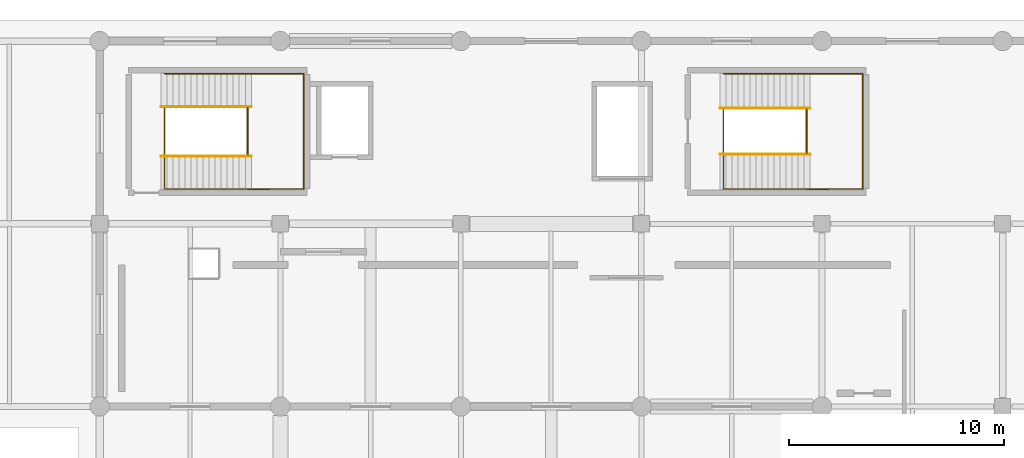
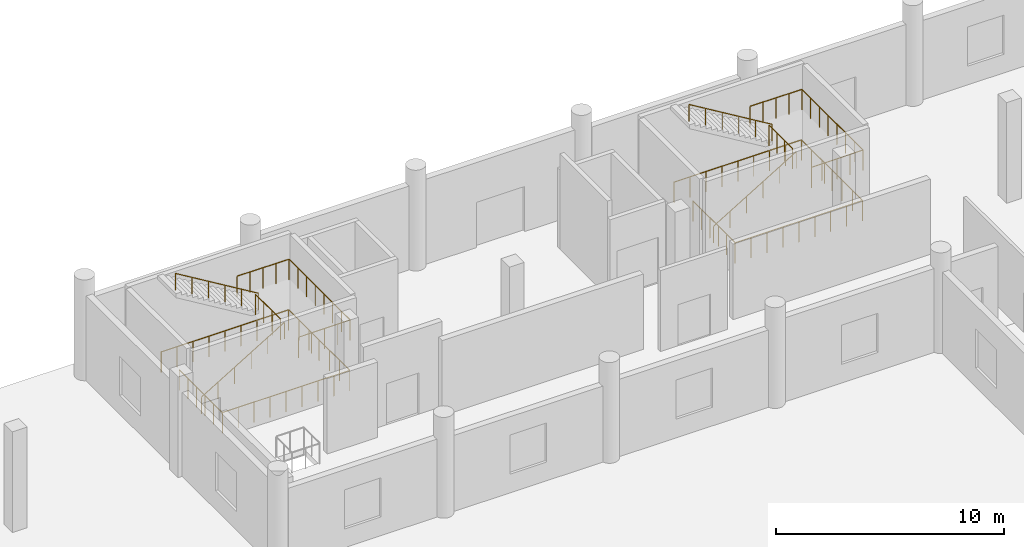
# One storey, part 106 of 107: 10 railings.
"""IFC4 building model written with IfcOpenShell, lengths in metres."""

import ifcopenshell
import ifcopenshell.guid

model = None  # the IFC model being written
_history = None  # IfcOwnerHistory: only IFC2X3 demands one
_inside = {}  # id of a spatial element -> (the spatial element, [elements in it])
_under = {}  # id of a project, library or spatial element -> (it, [spatial elements below it])
_declared = {}  # id of a project -> (the project, [libraries it declares])
_typed = {}  # id of a type object -> (the type object, [elements of that type])
_made_of = {}  # id of a material, layer set ... -> (it, [elements and type objects made of it])


def new_model(schema):
    """Start an empty IFC model of exactly this schema.

    Asked for "IFC4X3", IfcOpenShell would pick the latest addendum, in which some entities
    have other attributes; the version numbers below select the first issue.
    IFC2X3 requires an IfcOwnerHistory on every rooted entity: one is made here for all.
    """
    global model, _history
    if schema == "IFC4X3":
        model = ifcopenshell.file(schema_version=(4, 3, 0, 0))
    else:
        model = ifcopenshell.file(schema=schema)
    _inside.clear()
    _under.clear()
    _declared.clear()
    _typed.clear()
    _made_of.clear()
    _history = None
    if model.schema == "IFC2X3":
        org = make("IfcOrganization", Name="unknown")
        user = make(
            "IfcPersonAndOrganization",
            ThePerson=make("IfcPerson", FamilyName="unknown"),
            TheOrganization=org,
        )
        app = make(
            "IfcApplication",
            ApplicationDeveloper=org,
            Version="unknown",
            ApplicationFullName="unknown",
            ApplicationIdentifier="unknown",
        )
        _history = make(
            "IfcOwnerHistory",
            OwningUser=user,
            OwningApplication=app,
            ChangeAction="ADDED",
            CreationDate=0,
        )
    return model


def make(cls, **values):
    """One entity of the class cls with the attributes given. An attribute that is None is left unset."""
    return model.create_entity(
        cls, **{name: value for name, value in values.items() if value is not None}
    )


def rooted(cls, **values):
    """An entity with a GlobalId (a new one), such as an element, a storey or a relation."""
    return make(cls, GlobalId=ifcopenshell.guid.new(), OwnerHistory=_history, **values)


def si_unit(unit_type, name, prefix=None):
    """IfcSIUnit, for example si_unit("LENGTHUNIT", "METRE", prefix="MILLI")."""
    return make("IfcSIUnit", UnitType=unit_type, Prefix=prefix, Name=name)


def assignment(units):
    """IfcUnitAssignment: the units of a project."""
    return None if units is None else make("IfcUnitAssignment", Units=units)


def point(xyz):
    """IfcCartesianPoint."""
    return None if xyz is None else make("IfcCartesianPoint", Coordinates=xyz)


def direction(xyz):
    """IfcDirection."""
    return None if xyz is None else make("IfcDirection", DirectionRatios=xyz)


def frame(location, z_axis=None, x_axis=None):
    """IfcAxis2Placement3D, a coordinate frame: its origin and axes. An axis left out is left unset."""
    return make(
        "IfcAxis2Placement3D",
        Location=point(location),
        Axis=direction(z_axis),
        RefDirection=direction(x_axis),
    )


def frame_2d(location, x_axis=None):
    """IfcAxis2Placement2D, a coordinate frame in the plane: its origin and x axis."""
    return make(
        "IfcAxis2Placement2D", Location=point(location), RefDirection=direction(x_axis)
    )


def origin():
    """The frame at (0, 0, 0) with its axes left unset."""
    return frame((0.0, 0.0, 0.0))


def origin_2d():
    """The frame at (0, 0) in the plane with its x axis left unset."""
    return frame_2d((0.0, 0.0))


def place(relative_to, where):
    """IfcLocalPlacement: puts the frame where relative to a parent placement (None: the world)."""
    return make(
        "IfcLocalPlacement", PlacementRelTo=relative_to, RelativePlacement=where
    )


def context(
    kind, dimensions, precision=None, world=None, true_north=None, identifier=None
):
    """IfcGeometricRepresentationContext, for example the 3D "Model" context."""
    return make(
        "IfcGeometricRepresentationContext",
        ContextIdentifier=identifier,
        ContextType=kind,
        CoordinateSpaceDimension=dimensions,
        Precision=precision,
        WorldCoordinateSystem=world,
        TrueNorth=true_north,
    )


def subcontext(parent, identifier, kind, view, scale=None):
    """IfcGeometricRepresentationSubContext, for example "Body" below "Model"."""
    return make(
        "IfcGeometricRepresentationSubContext",
        ContextIdentifier=identifier,
        ContextType=kind,
        ParentContext=parent,
        TargetScale=scale,
        TargetView=view,
    )


def project(units=None, contexts=None):
    """IfcProject with its units and contexts."""
    return rooted(
        "IfcProject",
        Name="project",
        RepresentationContexts=contexts,
        UnitsInContext=assignment(units),
    )


def spatial(cls, under=None, at=None, **own):
    """A site, building, storey or space (cls), placed at a placement, below another one or the project."""
    s = rooted(cls, ObjectPlacement=at, **own)
    if under is not None:
        _under.setdefault(under.id(), (under, []))[1].append(s)
    return s


def profile(cls, at=None, kind="AREA", **sizes):
    """A parametric profile (cls). Its sizes go by their IFC names, for example OverallWidth=200.0."""
    return make(cls, ProfileType=kind, Position=at, **sizes)


def circle(**sizes):
    """IfcCircleProfileDef."""
    return profile("IfcCircleProfileDef", **sizes)


def extrude(swept, where, along, depth):
    """IfcExtrudedAreaSolid: the profile swept, set in the frame where, extruded along a direction by depth."""
    return make(
        "IfcExtrudedAreaSolid",
        SweptArea=swept,
        Position=where,
        ExtrudedDirection=direction(along),
        Depth=depth,
    )


def shape(context_of_items, identifier, shape_type, items):
    """IfcShapeRepresentation: the items that make up one representation, for example the "Body"."""
    return make(
        "IfcShapeRepresentation",
        ContextOfItems=context_of_items,
        RepresentationIdentifier=identifier,
        RepresentationType=shape_type,
        Items=items,
    )


def material(Name=None, Category=None):
    """IfcMaterial."""
    return make("IfcMaterial", Name=Name, Category=Category)


def made_of(thing, what):
    """Note that an element or type object is made of a material, layer set ...; save() writes the relation."""
    if what is not None:
        _made_of.setdefault(what.id(), (what, []))[1].append(thing)
    return thing


def type_object(cls, material=None, **own):
    """A type object (cls), such as IfcWallType, which elements share."""
    return made_of(rooted(cls, **own), material)


def element(
    cls,
    number,
    at=None,
    inside=None,
    cuts=None,
    type_object=None,
    material=None,
    context=None,
    identifier="Body",
    shape_type=None,
    held_by="IfcProductDefinitionShape",
    body=None,
    shapes=None,
    **own,
):
    """One element of the class cls, such as IfcWall. Its Tag is "e" and its number.

    at: its placement. inside: the storey or other place that contains it. cuts: it is an
    opening in that element (IfcRelVoidsElement). A single representation is given by context,
    identifier, shape_type and body (its items); several are given by shapes. held_by: the class
    of the entity that holds the representations. save() writes the other relations.
    """
    e = rooted(cls, Tag="e%d" % number, ObjectPlacement=at, **own)
    if body is not None:
        shapes = [shape(context, identifier, shape_type, body)]
    if shapes is not None:
        e.Representation = make(held_by, Representations=shapes)
    if inside is not None:
        _inside.setdefault(inside.id(), (inside, []))[1].append(e)
    if cuts is not None:
        rooted(
            "IfcRelVoidsElement", RelatingBuildingElement=cuts, RelatedOpeningElement=e
        )
    if type_object is not None:
        _typed.setdefault(type_object.id(), (type_object, []))[1].append(e)
    return made_of(e, material)


def aggregate(whole, parts):
    """IfcRelAggregates: a whole, such as a stair, and the parts it consists of."""
    return rooted("IfcRelAggregates", RelatingObject=whole, RelatedObjects=parts)


def save(model, path):
    """Write the relations noted so far, then the file.

    IfcRelAggregates (storeys below a building ...), IfcRelContainedInSpatialStructure (elements
    in a storey), IfcRelDefinesByType, IfcRelAssociatesMaterial and IfcRelDeclares: one each for
    every whole, place, type object, material and project.
    """
    for whole, parts in _under.values():
        aggregate(whole, parts)
    for where, things in _inside.values():
        rooted(
            "IfcRelContainedInSpatialStructure",
            RelatedElements=things,
            RelatingStructure=where,
        )
    for kind, things in _typed.values():
        rooted("IfcRelDefinesByType", RelatedObjects=things, RelatingType=kind)
    for what, things in _made_of.values():
        rooted("IfcRelAssociatesMaterial", RelatedObjects=things, RelatingMaterial=what)
    for by, libraries in _declared.values():
        rooted("IfcRelDeclares", RelatingContext=by, RelatedDefinitions=libraries)
    model.write(path)


model = new_model("IFC4")

# Units and contexts
model_context = context("Model", 3, precision=1e-05, world=origin(), true_north=direction((0.0, 1.0)))
body_context = subcontext(model_context, "Body", "Model", "MODEL_VIEW")
ifc_project = project(units=[si_unit("LENGTHUNIT", "METRE"), si_unit("AREAUNIT", "SQUARE_METRE"), si_unit("VOLUMEUNIT", "CUBIC_METRE"), si_unit("PLANEANGLEUNIT", "RADIAN"), si_unit("MASSUNIT", "GRAM", prefix="KILO")], contexts=[model_context])

# Site, building, storey
site_placement = place(None, origin())
site = spatial("IfcSite", under=ifc_project, at=site_placement, CompositionType="ELEMENT")
building_placement = place(site_placement, origin())
building = spatial("IfcBuilding", under=site, at=building_placement, Name="Solvento Point Concert Hall", CompositionType="ELEMENT")
storey_placement = place(building_placement, origin())
storey = spatial("IfcBuildingStorey", under=building, at=storey_placement, Name="L00", CompositionType="ELEMENT", Elevation=0.0)

# Railings
ifc_material_1 = material(Name="Brushed Stainless Steel Balustrade", Category="steel")
railing_type_1 = type_object("IfcRailingType", Name="StairHandrail_915", PredefinedType="HANDRAIL", material=ifc_material_1)
railing_1_placement = place(storey_placement, frame((169.64990234375, 130.64990234375, 0.168701171875)))
element("IfcRailing", 1, at=railing_1_placement, inside=storey, type_object=railing_type_1, Name="Stair handrail HR-01 ST-01 L00 F1", PredefinedType="HANDRAIL", context=body_context, shape_type="SweptSolid", body=[
    extrude(circle(Radius=0.0224609375, at=origin_2d()), frame((0.0, 0.0, 0.892578125), z_axis=(0.856489757249, 0.0, 0.516164020179), x_axis=(0.0, 1.0, 0.0)), (0.0, 0.0, 1.0), 4.904052734375),
    extrude(circle(Radius=0.01904296875, at=origin_2d()), origin(), (0.0, 0.0, 1.0), 0.8701171875),
    extrude(circle(Radius=0.01904296875, at=origin_2d()), frame((0.840087890625, 0.0, 0.50634765625)), (0.0, 0.0, 1.0), 0.8701171875),
    extrude(circle(Radius=0.01904296875, at=origin_2d()), frame((1.68017578125, 0.0, 1.012451171875)), (0.0, 0.0, 1.0), 0.8701171875),
    extrude(circle(Radius=0.01904296875, at=origin_2d()), frame((2.52001953125, 0.0, 1.518798828125)), (0.0, 0.0, 1.0), 0.8701171875),
    extrude(circle(Radius=0.01904296875, at=origin_2d()), frame((3.360107421875, 0.0, 2.02490234375)), (0.0, 0.0, 1.0), 0.8701171875),
    extrude(circle(Radius=0.01904296875, at=origin_2d()), frame((4.2001953125, 0.0, 2.53125)), (0.0, 0.0, 1.0), 0.8701171875),
])
railing_2_placement = place(storey_placement, frame((173.85009765625, 132.949951171875, 2.868896484375)))
element("IfcRailing", 2, at=railing_2_placement, inside=storey, type_object=railing_type_1, Name="Stair handrail HR-01 ST-01 L00 F2", PredefinedType="HANDRAIL", context=body_context, shape_type="SweptSolid", body=[
    extrude(circle(Radius=0.0224609375, at=origin_2d()), frame((0.0, 0.0, 0.892578125), z_axis=(-0.856511766154, 0.0, 0.51612749824), x_axis=(0.0, -1.0, 0.0)), (0.0, 0.0, 1.0), 4.90380859375),
    extrude(circle(Radius=0.01904296875, at=origin_2d()), origin(), (0.0, 0.0, 1.0), 0.8701171875),
    extrude(circle(Radius=0.01904296875, at=origin_2d()), frame((-0.840087890625, 0.0, 0.506103515625)), (0.0, 0.0, 1.0), 0.8701171875),
    extrude(circle(Radius=0.01904296875, at=origin_2d()), frame((-1.68017578125, 0.0, 1.012451171875)), (0.0, 0.0, 1.0), 0.8701171875),
    extrude(circle(Radius=0.01904296875, at=origin_2d()), frame((-2.52001953125, 0.0, 1.5185546875)), (0.0, 0.0, 1.0), 0.8701171875),
    extrude(circle(Radius=0.01904296875, at=origin_2d()), frame((-3.360107421875, 0.0, 2.02490234375)), (0.0, 0.0, 1.0), 0.8701171875),
    extrude(circle(Radius=0.01904296875, at=origin_2d()), frame((-4.2001953125, 0.0, 2.531005859375)), (0.0, 0.0, 1.0), 0.8701171875),
])
railing_3_placement = place(storey_placement, frame((195.64990234375, 130.72998046875, 0.168701171875)))
element("IfcRailing", 3, at=railing_3_placement, inside=storey, type_object=railing_type_1, Name="Stair handrail HR-01 ST-02 L00 F1", PredefinedType="HANDRAIL", context=body_context, shape_type="SweptSolid", body=[
    extrude(circle(Radius=0.0224609375, at=origin_2d()), frame((0.0, 0.0, 0.892578125), z_axis=(0.856489757249, 0.0, 0.516164020179), x_axis=(0.0, 1.0, 0.0)), (0.0, 0.0, 1.0), 4.904052734375),
    extrude(circle(Radius=0.01904296875, at=origin_2d()), origin(), (0.0, 0.0, 1.0), 0.8701171875),
    extrude(circle(Radius=0.01904296875, at=origin_2d()), frame((0.840087890625, 0.0, 0.50634765625)), (0.0, 0.0, 1.0), 0.8701171875),
    extrude(circle(Radius=0.01904296875, at=origin_2d()), frame((1.68017578125, 0.0, 1.012451171875)), (0.0, 0.0, 1.0), 0.8701171875),
    extrude(circle(Radius=0.01904296875, at=origin_2d()), frame((2.52001953125, 0.0, 1.518798828125)), (0.0, 0.0, 1.0), 0.8701171875),
    extrude(circle(Radius=0.01904296875, at=origin_2d()), frame((3.360107421875, 0.0, 2.02490234375)), (0.0, 0.0, 1.0), 0.8701171875),
    extrude(circle(Radius=0.01904296875, at=origin_2d()), frame((4.2001953125, 0.0, 2.53125)), (0.0, 0.0, 1.0), 0.8701171875),
])
railing_4_placement = place(storey_placement, frame((199.85009765625, 132.8701171875, 2.868896484375)))
element("IfcRailing", 4, at=railing_4_placement, inside=storey, type_object=railing_type_1, Name="Stair handrail HR-01 ST-02 L00 F2", PredefinedType="HANDRAIL", context=body_context, shape_type="SweptSolid", body=[
    extrude(circle(Radius=0.0224609375, at=origin_2d()), frame((0.0, 0.0, 0.892578125), z_axis=(-0.856511766154, 0.0, 0.51612749824), x_axis=(0.0, -1.0, 0.0)), (0.0, 0.0, 1.0), 4.90380859375),
    extrude(circle(Radius=0.01904296875, at=origin_2d()), origin(), (0.0, 0.0, 1.0), 0.8701171875),
    extrude(circle(Radius=0.01904296875, at=origin_2d()), frame((-0.840087890625, 0.0, 0.506103515625)), (0.0, 0.0, 1.0), 0.8701171875),
    extrude(circle(Radius=0.01904296875, at=origin_2d()), frame((-1.68017578125, 0.0, 1.012451171875)), (0.0, 0.0, 1.0), 0.8701171875),
    extrude(circle(Radius=0.01904296875, at=origin_2d()), frame((-2.52001953125, 0.0, 1.5185546875)), (0.0, 0.0, 1.0), 0.8701171875),
    extrude(circle(Radius=0.01904296875, at=origin_2d()), frame((-3.360107421875, 0.0, 2.02490234375)), (0.0, 0.0, 1.0), 0.8701171875),
    extrude(circle(Radius=0.01904296875, at=origin_2d()), frame((-4.2001953125, 0.0, 2.531005859375)), (0.0, 0.0, 1.0), 0.8701171875),
])
ifc_material_2 = material(Name="Brushed Stainless Steel Balustrade", Category="steel")
railing_type_2 = type_object("IfcRailingType", Name="StairWellGuard_1100", PredefinedType="BALUSTRADE", material=ifc_material_2)
railing_5_placement = place(storey_placement, frame((169.820068359375, 132.89990234375, 0.0)))
element("IfcRailing", 5, at=railing_5_placement, inside=storey, type_object=railing_type_2, Name="Stairwell guard GR-02 ST-01 L00", PredefinedType="BALUSTRADE", context=body_context, shape_type="SweptSolid", body=[
    extrude(circle(Radius=0.02392578125, at=origin_2d()), frame((0.0, 0.0, 1.09619140625), z_axis=(0.0, -1.0, 0.0), x_axis=(1.0, 0.0, 0.0)), (0.0, 0.0, 1.0), 3.77978515625),
    extrude(circle(Radius=0.02392578125, at=origin_2d()), frame((0.0, -3.77978515625, 1.09619140625), z_axis=(1.0, 0.0, 0.0), x_axis=(0.0, 1.0, 0.0)), (0.0, 0.0, 1.0), 6.4599609375),
    extrude(circle(Radius=0.02392578125, at=origin_2d()), frame((6.4599609375, -3.77978515625, 1.09619140625), z_axis=(0.0, 1.0, 0.0), x_axis=(-1.0, 0.0, 0.0)), (0.0, 0.0, 1.0), 5.35986328125),
    extrude(circle(Radius=0.02392578125, at=origin_2d()), frame((6.4599609375, 1.580078125, 1.09619140625), z_axis=(-1.0, 0.0, 0.0), x_axis=(0.0, -1.0, 0.0)), (0.0, 0.0, 1.0), 6.4599609375),
    extrude(circle(Radius=0.02392578125, at=origin_2d()), frame((0.0, 1.580078125, 1.09619140625), z_axis=(0.0, 1.0, 0.0), x_axis=(-1.0, 0.0, 0.0)), (0.0, 0.0, 1.0), 0.02001953125),
    extrude(circle(Radius=0.02099609375, at=origin_2d()), origin(), (0.0, 0.0, 1.0), 1.072021484375),
    extrude(circle(Radius=0.02099609375, at=origin_2d()), frame((0.0, -0.755859375, 0.0)), (0.0, 0.0, 1.0), 1.072021484375),
    extrude(circle(Radius=0.02099609375, at=origin_2d()), frame((0.0, -1.511962890625, 0.0)), (0.0, 0.0, 1.0), 1.072021484375),
    extrude(circle(Radius=0.02099609375, at=origin_2d()), frame((0.0, -2.267822265625, 0.0)), (0.0, 0.0, 1.0), 1.072021484375),
    extrude(circle(Radius=0.02099609375, at=origin_2d()), frame((0.0, -3.02392578125, 0.0)), (0.0, 0.0, 1.0), 1.072021484375),
    extrude(circle(Radius=0.02099609375, at=origin_2d()), frame((0.0, -3.77978515625, 0.0)), (0.0, 0.0, 1.0), 1.072021484375),
    extrude(circle(Radius=0.02099609375, at=origin_2d()), frame((0.8076171875, -3.77978515625, 0.0)), (0.0, 0.0, 1.0), 1.072021484375),
    extrude(circle(Radius=0.02099609375, at=origin_2d()), frame((1.614990234375, -3.77978515625, 0.0)), (0.0, 0.0, 1.0), 1.072021484375),
    extrude(circle(Radius=0.02099609375, at=origin_2d()), frame((2.42236328125, -3.77978515625, 0.0)), (0.0, 0.0, 1.0), 1.072021484375),
    extrude(circle(Radius=0.02099609375, at=origin_2d()), frame((3.22998046875, -3.77978515625, 0.0)), (0.0, 0.0, 1.0), 1.072021484375),
    extrude(circle(Radius=0.02099609375, at=origin_2d()), frame((4.03759765625, -3.77978515625, 0.0)), (0.0, 0.0, 1.0), 1.072021484375),
    extrude(circle(Radius=0.02099609375, at=origin_2d()), frame((4.844970703125, -3.77978515625, 0.0)), (0.0, 0.0, 1.0), 1.072021484375),
    extrude(circle(Radius=0.02099609375, at=origin_2d()), frame((5.65234375, -3.77978515625, 0.0)), (0.0, 0.0, 1.0), 1.072021484375),
    extrude(circle(Radius=0.02099609375, at=origin_2d()), frame((6.4599609375, -3.77978515625, 0.0)), (0.0, 0.0, 1.0), 1.072021484375),
    extrude(circle(Radius=0.02099609375, at=origin_2d()), frame((6.4599609375, -2.886474609375, 0.0)), (0.0, 0.0, 1.0), 1.072021484375),
    extrude(circle(Radius=0.02099609375, at=origin_2d()), frame((6.4599609375, -1.9931640625, 0.0)), (0.0, 0.0, 1.0), 1.072021484375),
    extrude(circle(Radius=0.02099609375, at=origin_2d()), frame((6.4599609375, -1.099853515625, 0.0)), (0.0, 0.0, 1.0), 1.072021484375),
    extrude(circle(Radius=0.02099609375, at=origin_2d()), frame((6.4599609375, -0.20654296875, 0.0)), (0.0, 0.0, 1.0), 1.072021484375),
    extrude(circle(Radius=0.02099609375, at=origin_2d()), frame((6.4599609375, 0.686767578125, 0.0)), (0.0, 0.0, 1.0), 1.072021484375),
    extrude(circle(Radius=0.02099609375, at=origin_2d()), frame((6.4599609375, 1.580078125, 0.0)), (0.0, 0.0, 1.0), 1.072021484375),
    extrude(circle(Radius=0.02099609375, at=origin_2d()), frame((5.65234375, 1.580078125, 0.0)), (0.0, 0.0, 1.0), 1.072021484375),
    extrude(circle(Radius=0.02099609375, at=origin_2d()), frame((4.844970703125, 1.580078125, 0.0)), (0.0, 0.0, 1.0), 1.072021484375),
    extrude(circle(Radius=0.02099609375, at=origin_2d()), frame((4.03759765625, 1.580078125, 0.0)), (0.0, 0.0, 1.0), 1.072021484375),
    extrude(circle(Radius=0.02099609375, at=origin_2d()), frame((3.22998046875, 1.580078125, 0.0)), (0.0, 0.0, 1.0), 1.072021484375),
    extrude(circle(Radius=0.02099609375, at=origin_2d()), frame((2.42236328125, 1.580078125, 0.0)), (0.0, 0.0, 1.0), 1.072021484375),
    extrude(circle(Radius=0.02099609375, at=origin_2d()), frame((1.614990234375, 1.580078125, 0.0)), (0.0, 0.0, 1.0), 1.072021484375),
    extrude(circle(Radius=0.02099609375, at=origin_2d()), frame((0.8076171875, 1.580078125, 0.0)), (0.0, 0.0, 1.0), 1.072021484375),
    extrude(circle(Radius=0.02099609375, at=origin_2d()), frame((0.0, 1.580078125, 0.0)), (0.0, 0.0, 1.0), 1.072021484375),
    extrude(circle(Radius=0.02099609375, at=origin_2d()), frame((0.0, 1.60009765625, 0.0)), (0.0, 0.0, 1.0), 1.072021484375),
])
railing_6_placement = place(storey_placement, frame((173.679931640625, 129.10009765625, 2.699951171875)))
element("IfcRailing", 6, at=railing_6_placement, inside=storey, type_object=railing_type_2, Name="Half-landing perimeter guard GR-02 ST-01 L00", PredefinedType="BALUSTRADE", context=body_context, shape_type="SweptSolid", body=[
    extrude(circle(Radius=0.02392578125, at=origin_2d()), frame((0.0, 0.0, 1.09619140625), z_axis=(0.999970811124, 0.007640477685, 0.0), x_axis=(-0.007640477685, 0.999970811124, 0.0)), (0.0, 0.0, 1.0), 2.6201171875),
    extrude(circle(Radius=0.02392578125, at=origin_2d()), frame((2.6201171875, 0.02001953125, 1.09619140625), z_axis=(0.0, 1.0, 0.0), x_axis=(-1.0, 0.0, 0.0)), (0.0, 0.0, 1.0), 5.35986328125),
    extrude(circle(Radius=0.02392578125, at=origin_2d()), frame((2.6201171875, 5.3798828125, 1.09619140625), z_axis=(-0.999970811124, 0.007640477685, 0.0), x_axis=(-0.007640477685, -0.999970811124, 0.0)), (0.0, 0.0, 1.0), 2.6201171875),
    extrude(circle(Radius=0.02099609375, at=origin_2d()), origin(), (0.0, 0.0, 1.0), 1.072021484375),
    extrude(circle(Radius=0.02099609375, at=origin_2d()), frame((0.655029296875, 0.0048828125, 0.0)), (0.0, 0.0, 1.0), 1.072021484375),
    extrude(circle(Radius=0.02099609375, at=origin_2d()), frame((1.31005859375, 0.010009765625, 0.0)), (0.0, 0.0, 1.0), 1.072021484375),
    extrude(circle(Radius=0.02099609375, at=origin_2d()), frame((1.965087890625, 0.01513671875, 0.0)), (0.0, 0.0, 1.0), 1.072021484375),
    extrude(circle(Radius=0.02099609375, at=origin_2d()), frame((2.6201171875, 0.02001953125, 0.0)), (0.0, 0.0, 1.0), 1.072021484375),
    extrude(circle(Radius=0.02099609375, at=origin_2d()), frame((2.6201171875, 0.78564453125, 0.0)), (0.0, 0.0, 1.0), 1.072021484375),
    extrude(circle(Radius=0.02099609375, at=origin_2d()), frame((2.6201171875, 1.551513671875, 0.0)), (0.0, 0.0, 1.0), 1.072021484375),
    extrude(circle(Radius=0.02099609375, at=origin_2d()), frame((2.6201171875, 2.317138671875, 0.0)), (0.0, 0.0, 1.0), 1.072021484375),
    extrude(circle(Radius=0.02099609375, at=origin_2d()), frame((2.6201171875, 3.082763671875, 0.0)), (0.0, 0.0, 1.0), 1.072021484375),
    extrude(circle(Radius=0.02099609375, at=origin_2d()), frame((2.6201171875, 3.848388671875, 0.0)), (0.0, 0.0, 1.0), 1.072021484375),
    extrude(circle(Radius=0.02099609375, at=origin_2d()), frame((2.6201171875, 4.6142578125, 0.0)), (0.0, 0.0, 1.0), 1.072021484375),
    extrude(circle(Radius=0.02099609375, at=origin_2d()), frame((2.6201171875, 5.3798828125, 0.0)), (0.0, 0.0, 1.0), 1.072021484375),
    extrude(circle(Radius=0.02099609375, at=origin_2d()), frame((1.965087890625, 5.384765625, 0.0)), (0.0, 0.0, 1.0), 1.072021484375),
    extrude(circle(Radius=0.02099609375, at=origin_2d()), frame((1.31005859375, 5.389892578125, 0.0)), (0.0, 0.0, 1.0), 1.072021484375),
    extrude(circle(Radius=0.02099609375, at=origin_2d()), frame((0.655029296875, 5.39501953125, 0.0)), (0.0, 0.0, 1.0), 1.072021484375),
    extrude(circle(Radius=0.02099609375, at=origin_2d()), frame((0.0, 5.39990234375, 0.0)), (0.0, 0.0, 1.0), 1.072021484375),
])
railing_7_placement = place(storey_placement, frame((173.679931640625, 130.699951171875, 2.699951171875)))
element("IfcRailing", 7, at=railing_7_placement, inside=storey, type_object=railing_type_2, Name="Half-landing slot guard GR-02 ST-01 L00", PredefinedType="BALUSTRADE", context=body_context, shape_type="SweptSolid", body=[
    extrude(circle(Radius=0.02392578125, at=origin_2d()), frame((0.0, 0.0, 1.09619140625), z_axis=(0.0, 1.0, 0.0), x_axis=(-1.0, 0.0, 0.0)), (0.0, 0.0, 1.0), 2.199951171875),
    extrude(circle(Radius=0.02099609375, at=origin_2d()), origin(), (0.0, 0.0, 1.0), 1.072021484375),
    extrude(circle(Radius=0.02099609375, at=origin_2d()), frame((0.0, 0.7333984375, 0.0)), (0.0, 0.0, 1.0), 1.072021484375),
    extrude(circle(Radius=0.02099609375, at=origin_2d()), frame((0.0, 1.466552734375, 0.0)), (0.0, 0.0, 1.0), 1.072021484375),
    extrude(circle(Radius=0.02099609375, at=origin_2d()), frame((0.0, 2.199951171875, 0.0)), (0.0, 0.0, 1.0), 1.072021484375),
])
railing_8_placement = place(storey_placement, frame((195.820068359375, 132.820068359375, 0.0)))
element("IfcRailing", 8, at=railing_8_placement, inside=storey, type_object=railing_type_2, Name="Stairwell guard GR-02 ST-02 L00", PredefinedType="BALUSTRADE", context=body_context, shape_type="SweptSolid", body=[
    extrude(circle(Radius=0.02392578125, at=origin_2d()), frame((0.0, 0.0, 1.09619140625), z_axis=(0.0, -1.0, 0.0), x_axis=(1.0, 0.0, 0.0)), (0.0, 0.0, 1.0), 3.699951171875),
    extrude(circle(Radius=0.02392578125, at=origin_2d()), frame((0.0, -3.699951171875, 1.09619140625), z_axis=(1.0, 0.0, 0.0), x_axis=(0.0, 1.0, 0.0)), (0.0, 0.0, 1.0), 6.4599609375),
    extrude(circle(Radius=0.02392578125, at=origin_2d()), frame((6.4599609375, -3.699951171875, 1.09619140625), z_axis=(0.0, 1.0, 0.0), x_axis=(-1.0, 0.0, 0.0)), (0.0, 0.0, 1.0), 5.35986328125),
    extrude(circle(Radius=0.02392578125, at=origin_2d()), frame((6.4599609375, 1.659912109375, 1.09619140625), z_axis=(-1.0, 0.0, 0.0), x_axis=(0.0, -1.0, 0.0)), (0.0, 0.0, 1.0), 6.4599609375),
    extrude(circle(Radius=0.02392578125, at=origin_2d()), frame((0.0, 1.659912109375, 1.09619140625), z_axis=(0.0, 1.0, 0.0), x_axis=(-1.0, 0.0, 0.0)), (0.0, 0.0, 1.0), 0.02001953125),
    extrude(circle(Radius=0.02099609375, at=origin_2d()), origin(), (0.0, 0.0, 1.0), 1.072021484375),
    extrude(circle(Radius=0.02099609375, at=origin_2d()), frame((0.0, -0.739990234375, 0.0)), (0.0, 0.0, 1.0), 1.072021484375),
    extrude(circle(Radius=0.02099609375, at=origin_2d()), frame((0.0, -1.47998046875, 0.0)), (0.0, 0.0, 1.0), 1.072021484375),
    extrude(circle(Radius=0.02099609375, at=origin_2d()), frame((0.0, -2.219970703125, 0.0)), (0.0, 0.0, 1.0), 1.072021484375),
    extrude(circle(Radius=0.02099609375, at=origin_2d()), frame((0.0, -2.9599609375, 0.0)), (0.0, 0.0, 1.0), 1.072021484375),
    extrude(circle(Radius=0.02099609375, at=origin_2d()), frame((0.0, -3.699951171875, 0.0)), (0.0, 0.0, 1.0), 1.072021484375),
    extrude(circle(Radius=0.02099609375, at=origin_2d()), frame((0.8076171875, -3.699951171875, 0.0)), (0.0, 0.0, 1.0), 1.072021484375),
    extrude(circle(Radius=0.02099609375, at=origin_2d()), frame((1.614990234375, -3.699951171875, 0.0)), (0.0, 0.0, 1.0), 1.072021484375),
    extrude(circle(Radius=0.02099609375, at=origin_2d()), frame((2.42236328125, -3.699951171875, 0.0)), (0.0, 0.0, 1.0), 1.072021484375),
    extrude(circle(Radius=0.02099609375, at=origin_2d()), frame((3.22998046875, -3.699951171875, 0.0)), (0.0, 0.0, 1.0), 1.072021484375),
    extrude(circle(Radius=0.02099609375, at=origin_2d()), frame((4.03759765625, -3.699951171875, 0.0)), (0.0, 0.0, 1.0), 1.072021484375),
    extrude(circle(Radius=0.02099609375, at=origin_2d()), frame((4.844970703125, -3.699951171875, 0.0)), (0.0, 0.0, 1.0), 1.072021484375),
    extrude(circle(Radius=0.02099609375, at=origin_2d()), frame((5.65234375, -3.699951171875, 0.0)), (0.0, 0.0, 1.0), 1.072021484375),
    extrude(circle(Radius=0.02099609375, at=origin_2d()), frame((6.4599609375, -3.699951171875, 0.0)), (0.0, 0.0, 1.0), 1.072021484375),
    extrude(circle(Radius=0.02099609375, at=origin_2d()), frame((6.4599609375, -2.806640625, 0.0)), (0.0, 0.0, 1.0), 1.072021484375),
    extrude(circle(Radius=0.02099609375, at=origin_2d()), frame((6.4599609375, -1.913330078125, 0.0)), (0.0, 0.0, 1.0), 1.072021484375),
    extrude(circle(Radius=0.02099609375, at=origin_2d()), frame((6.4599609375, -1.02001953125, 0.0)), (0.0, 0.0, 1.0), 1.072021484375),
    extrude(circle(Radius=0.02099609375, at=origin_2d()), frame((6.4599609375, -0.126708984375, 0.0)), (0.0, 0.0, 1.0), 1.072021484375),
    extrude(circle(Radius=0.02099609375, at=origin_2d()), frame((6.4599609375, 0.7666015625, 0.0)), (0.0, 0.0, 1.0), 1.072021484375),
    extrude(circle(Radius=0.02099609375, at=origin_2d()), frame((6.4599609375, 1.659912109375, 0.0)), (0.0, 0.0, 1.0), 1.072021484375),
    extrude(circle(Radius=0.02099609375, at=origin_2d()), frame((5.65234375, 1.659912109375, 0.0)), (0.0, 0.0, 1.0), 1.072021484375),
    extrude(circle(Radius=0.02099609375, at=origin_2d()), frame((4.844970703125, 1.659912109375, 0.0)), (0.0, 0.0, 1.0), 1.072021484375),
    extrude(circle(Radius=0.02099609375, at=origin_2d()), frame((4.03759765625, 1.659912109375, 0.0)), (0.0, 0.0, 1.0), 1.072021484375),
    extrude(circle(Radius=0.02099609375, at=origin_2d()), frame((3.22998046875, 1.659912109375, 0.0)), (0.0, 0.0, 1.0), 1.072021484375),
    extrude(circle(Radius=0.02099609375, at=origin_2d()), frame((2.42236328125, 1.659912109375, 0.0)), (0.0, 0.0, 1.0), 1.072021484375),
    extrude(circle(Radius=0.02099609375, at=origin_2d()), frame((1.614990234375, 1.659912109375, 0.0)), (0.0, 0.0, 1.0), 1.072021484375),
    extrude(circle(Radius=0.02099609375, at=origin_2d()), frame((0.8076171875, 1.659912109375, 0.0)), (0.0, 0.0, 1.0), 1.072021484375),
    extrude(circle(Radius=0.02099609375, at=origin_2d()), frame((0.0, 1.659912109375, 0.0)), (0.0, 0.0, 1.0), 1.072021484375),
    extrude(circle(Radius=0.02099609375, at=origin_2d()), frame((0.0, 1.679931640625, 0.0)), (0.0, 0.0, 1.0), 1.072021484375),
])
railing_9_placement = place(storey_placement, frame((199.679931640625, 129.10009765625, 2.699951171875)))
element("IfcRailing", 9, at=railing_9_placement, inside=storey, type_object=railing_type_2, Name="Half-landing perimeter guard GR-02 ST-02 L00", PredefinedType="BALUSTRADE", context=body_context, shape_type="SweptSolid", body=[
    extrude(circle(Radius=0.02392578125, at=origin_2d()), frame((0.0, 0.0, 1.09619140625), z_axis=(0.999970811124, 0.007640477685, 0.0), x_axis=(-0.007640477685, 0.999970811124, 0.0)), (0.0, 0.0, 1.0), 2.6201171875),
    extrude(circle(Radius=0.02392578125, at=origin_2d()), frame((2.6201171875, 0.02001953125, 1.09619140625), z_axis=(0.0, 1.0, 0.0), x_axis=(-1.0, 0.0, 0.0)), (0.0, 0.0, 1.0), 5.35986328125),
    extrude(circle(Radius=0.02392578125, at=origin_2d()), frame((2.6201171875, 5.3798828125, 1.09619140625), z_axis=(-0.999970811124, 0.007640477685, 0.0), x_axis=(-0.007640477685, -0.999970811124, 0.0)), (0.0, 0.0, 1.0), 2.6201171875),
    extrude(circle(Radius=0.02099609375, at=origin_2d()), origin(), (0.0, 0.0, 1.0), 1.072021484375),
    extrude(circle(Radius=0.02099609375, at=origin_2d()), frame((0.655029296875, 0.0048828125, 0.0)), (0.0, 0.0, 1.0), 1.072021484375),
    extrude(circle(Radius=0.02099609375, at=origin_2d()), frame((1.31005859375, 0.010009765625, 0.0)), (0.0, 0.0, 1.0), 1.072021484375),
    extrude(circle(Radius=0.02099609375, at=origin_2d()), frame((1.965087890625, 0.01513671875, 0.0)), (0.0, 0.0, 1.0), 1.072021484375),
    extrude(circle(Radius=0.02099609375, at=origin_2d()), frame((2.6201171875, 0.02001953125, 0.0)), (0.0, 0.0, 1.0), 1.072021484375),
    extrude(circle(Radius=0.02099609375, at=origin_2d()), frame((2.6201171875, 0.78564453125, 0.0)), (0.0, 0.0, 1.0), 1.072021484375),
    extrude(circle(Radius=0.02099609375, at=origin_2d()), frame((2.6201171875, 1.551513671875, 0.0)), (0.0, 0.0, 1.0), 1.072021484375),
    extrude(circle(Radius=0.02099609375, at=origin_2d()), frame((2.6201171875, 2.317138671875, 0.0)), (0.0, 0.0, 1.0), 1.072021484375),
    extrude(circle(Radius=0.02099609375, at=origin_2d()), frame((2.6201171875, 3.082763671875, 0.0)), (0.0, 0.0, 1.0), 1.072021484375),
    extrude(circle(Radius=0.02099609375, at=origin_2d()), frame((2.6201171875, 3.848388671875, 0.0)), (0.0, 0.0, 1.0), 1.072021484375),
    extrude(circle(Radius=0.02099609375, at=origin_2d()), frame((2.6201171875, 4.6142578125, 0.0)), (0.0, 0.0, 1.0), 1.072021484375),
    extrude(circle(Radius=0.02099609375, at=origin_2d()), frame((2.6201171875, 5.3798828125, 0.0)), (0.0, 0.0, 1.0), 1.072021484375),
    extrude(circle(Radius=0.02099609375, at=origin_2d()), frame((1.965087890625, 5.384765625, 0.0)), (0.0, 0.0, 1.0), 1.072021484375),
    extrude(circle(Radius=0.02099609375, at=origin_2d()), frame((1.31005859375, 5.389892578125, 0.0)), (0.0, 0.0, 1.0), 1.072021484375),
    extrude(circle(Radius=0.02099609375, at=origin_2d()), frame((0.655029296875, 5.39501953125, 0.0)), (0.0, 0.0, 1.0), 1.072021484375),
    extrude(circle(Radius=0.02099609375, at=origin_2d()), frame((0.0, 5.39990234375, 0.0)), (0.0, 0.0, 1.0), 1.072021484375),
])
railing_10_placement = place(storey_placement, frame((199.679931640625, 130.780029296875, 2.699951171875)))
element("IfcRailing", 10, at=railing_10_placement, inside=storey, type_object=railing_type_2, Name="Half-landing slot guard GR-02 ST-02 L00", PredefinedType="BALUSTRADE", context=body_context, shape_type="SweptSolid", body=[
    extrude(circle(Radius=0.02392578125, at=origin_2d()), frame((0.0, 0.0, 1.09619140625), z_axis=(0.0, 1.0, 0.0), x_axis=(-1.0, 0.0, 0.0)), (0.0, 0.0, 1.0), 2.0400390625),
    extrude(circle(Radius=0.02099609375, at=origin_2d()), origin(), (0.0, 0.0, 1.0), 1.072021484375),
    extrude(circle(Radius=0.02099609375, at=origin_2d()), frame((0.0, 0.679931640625, 0.0)), (0.0, 0.0, 1.0), 1.072021484375),
    extrude(circle(Radius=0.02099609375, at=origin_2d()), frame((0.0, 1.360107421875, 0.0)), (0.0, 0.0, 1.0), 1.072021484375),
    extrude(circle(Radius=0.02099609375, at=origin_2d()), frame((0.0, 2.0400390625, 0.0)), (0.0, 0.0, 1.0), 1.072021484375),
])

save(model, "model.ifc")
